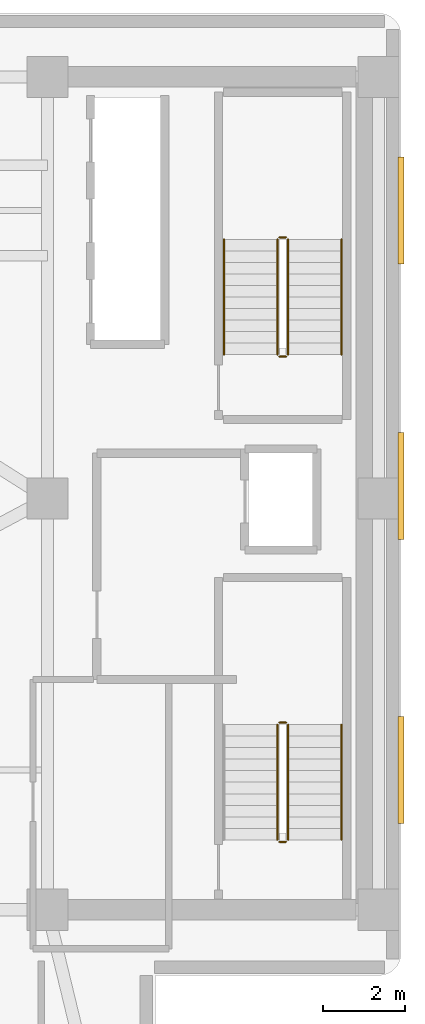
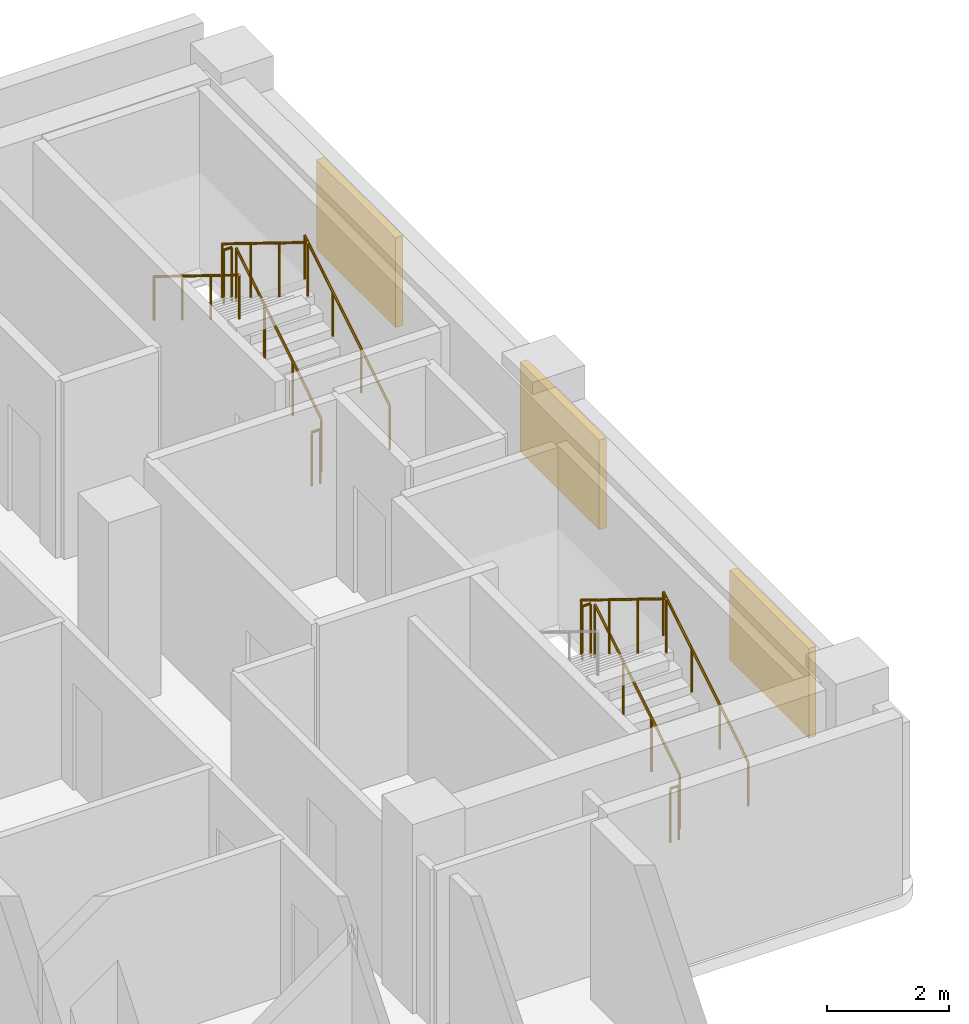
# One storey, part 16 of 16: 11 railings, 3 shading devices.
"""IFC4 building model written with IfcOpenShell, lengths in metres."""

from ifc_helpers import new_model, si_unit, direction, frame, origin, origin_2d, place, context, subcontext, project, spatial, rectangle, circle, extrude, material, layer, layer_set, type_object, element, save


model = new_model("IFC4")

# Units and contexts
model_context = context("Model", 3, precision=1e-05, world=origin(), true_north=direction((0.0, 1.0)))
body_context = subcontext(model_context, "Body", "Model", "MODEL_VIEW")
ifc_project = project(units=[si_unit("LENGTHUNIT", "METRE"), si_unit("AREAUNIT", "SQUARE_METRE"), si_unit("VOLUMEUNIT", "CUBIC_METRE"), si_unit("PLANEANGLEUNIT", "RADIAN"), si_unit("MASSUNIT", "GRAM", prefix="KILO")], contexts=[model_context])

# Site, building, storey
site_placement = place(None, origin())
site = spatial("IfcSite", under=ifc_project, at=site_placement, CompositionType="ELEMENT")
building_placement = place(site_placement, origin())
building = spatial("IfcBuilding", under=site, at=building_placement, Name="Kuzgunbayir Cultural Tower", CompositionType="ELEMENT")
storey_placement = place(building_placement, frame((0.0, 0.0, 75.60009765625)))
storey = spatial("IfcBuildingStorey", under=building, at=storey_placement, Name="L21", CompositionType="ELEMENT", Elevation=75.60009765625)

# Railings
ifc_material_1 = material(Name="Brushed Stainless Steel", Category="steel")
ifc_layer_1 = layer(ifc_material_1, 0.050048828125)
ifc_layer_set_1 = layer_set([ifc_layer_1], Name="Brushed Stainless Steel")
railing_type_1 = type_object("IfcRailingType", Name="RLG-STAIR-HANDRAIL", PredefinedType="HANDRAIL", material=ifc_layer_set_1)
for number, where, name in (
    (1, (71.75, 23.699951171875, 0.172607421875), "L21 ST-3 stair handrail 1"),
    (2, (71.75, 35.5, 0.172607421875), "L21 ST-4 stair handrail 1"),
):
    element("IfcRailing", number, at=place(storey_placement, frame(where)), inside=storey, type_object=railing_type_1, Name=name, PredefinedType="HANDRAIL", context=body_context, shape_type="SweptSolid", body=[
        extrude(circle(Radius=0.02392578125, at=origin_2d()), frame((0.0, 0.0, 0.8759765625), z_axis=(0.0, 0.851089632645, 0.525020415988), x_axis=(-1.0, 0.0, 0.0)), (0.0, 0.0, 1.0), 3.2900390625),
        extrude(circle(Radius=0.02099609375, at=origin_2d()), origin(), (0.0, 0.0, 1.0), 0.851806640625),
        extrude(circle(Radius=0.02099609375, at=origin_2d()), frame((0.0, 0.933349609375, 0.57568359375)), (0.0, 0.0, 1.0), 0.851806640625),
        extrude(circle(Radius=0.02099609375, at=origin_2d()), frame((0.0, 1.86669921875, 1.151611328125)), (0.0, 0.0, 1.0), 0.851806640625),
        extrude(circle(Radius=0.02099609375, at=origin_2d()), frame((0.0, 2.800048828125, 1.727294921875)), (0.0, 0.0, 1.0), 0.851806640625),
    ])
railing_1_placement = place(storey_placement, frame((68.889892578125, 38.300048828125, 2.072509765625)))
element("IfcRailing", 3, at=railing_1_placement, inside=storey, type_object=railing_type_1, Name="L21 ST-4 stair handrail 2", PredefinedType="HANDRAIL", context=body_context, shape_type="SweptSolid", body=[
    extrude(circle(Radius=0.02392578125, at=origin_2d()), frame((0.0, 0.0, 0.8759765625), z_axis=(0.0, -0.851089632645, 0.525020415988), x_axis=(1.0, 0.0, 0.0)), (0.0, 0.0, 1.0), 3.2900390625),
    extrude(circle(Radius=0.02099609375, at=origin_2d()), origin(), (0.0, 0.0, 1.0), 0.851806640625),
    extrude(circle(Radius=0.02099609375, at=origin_2d()), frame((0.0, -0.933349609375, 0.57568359375)), (0.0, 0.0, 1.0), 0.851806640625),
    extrude(circle(Radius=0.02099609375, at=origin_2d()), frame((0.0, -1.86669921875, 1.151611328125)), (0.0, 0.0, 1.0), 0.851806640625),
    extrude(circle(Radius=0.02099609375, at=origin_2d()), frame((0.0, -2.800048828125, 1.727294921875)), (0.0, 0.0, 1.0), 0.851806640625),
])
ifc_material_2 = material(Name="Painted Steel Balustrade", Category="steel")
ifc_layer_2 = layer(ifc_material_2, 0.06005859375)
ifc_layer_set_2 = layer_set([ifc_layer_2], Name="Painted Steel Balustrade")
railing_type_2 = type_object("IfcRailingType", Name="RLG-WELL-GUARD", PredefinedType="GUARDRAIL", material=ifc_layer_set_2)
railing_2_placement = place(storey_placement, frame((70.449951171875, 23.699951171875, 0.172607421875)))
element("IfcRailing", 4, at=railing_2_placement, inside=storey, type_object=railing_type_2, Name="L21 ST-3 stair guard 1", PredefinedType="GUARDRAIL", context=body_context, shape_type="SweptSolid", body=[
    extrude(circle(Radius=0.02392578125, at=origin_2d()), frame((0.0, 0.0, 1.076171875), z_axis=(0.0, 0.851089632645, 0.525020415988), x_axis=(-1.0, 0.0, 0.0)), (0.0, 0.0, 1.0), 3.2900390625),
    extrude(circle(Radius=0.02099609375, at=origin_2d()), origin(), (0.0, 0.0, 1.0), 1.052001953125),
    extrude(circle(Radius=0.02099609375, at=origin_2d()), frame((0.0, 0.933349609375, 0.57568359375)), (0.0, 0.0, 1.0), 1.052001953125),
    extrude(circle(Radius=0.02099609375, at=origin_2d()), frame((0.0, 1.86669921875, 1.151611328125)), (0.0, 0.0, 1.0), 1.052001953125),
    extrude(circle(Radius=0.02099609375, at=origin_2d()), frame((0.0, 2.800048828125, 1.727294921875)), (0.0, 0.0, 1.0), 1.052001953125),
])
railing_3_placement = place(storey_placement, frame((70.39990234375, 26.550048828125, 1.89990234375)))
element("IfcRailing", 5, at=railing_3_placement, inside=storey, type_object=railing_type_2, Name="L21 ST-3 stair guard 2", PredefinedType="GUARDRAIL", context=body_context, shape_type="SweptSolid", body=[
    extrude(circle(Radius=0.02392578125, at=origin_2d()), frame((0.0, 0.0, 1.076171875), z_axis=(-1.0, 0.0, 0.0), x_axis=(0.0, -1.0, 0.0)), (0.0, 0.0, 1.0), 0.159912109375),
    extrude(circle(Radius=0.02099609375, at=origin_2d()), origin(), (0.0, 0.0, 1.0), 1.052001953125),
    extrude(circle(Radius=0.02099609375, at=origin_2d()), frame((-0.159912109375, 0.0, 0.0)), (0.0, 0.0, 1.0), 1.052001953125),
])
railing_4_placement = place(storey_placement, frame((70.18994140625, 26.5, 2.072509765625)))
element("IfcRailing", 6, at=railing_4_placement, inside=storey, type_object=railing_type_2, Name="L21 ST-3 stair guard 3", PredefinedType="GUARDRAIL", context=body_context, shape_type="SweptSolid", body=[
    extrude(circle(Radius=0.02392578125, at=origin_2d()), frame((0.0, 0.0, 1.076171875), z_axis=(0.0, -0.851089632645, 0.525020415988), x_axis=(1.0, 0.0, 0.0)), (0.0, 0.0, 1.0), 3.2900390625),
    extrude(circle(Radius=0.02099609375, at=origin_2d()), origin(), (0.0, 0.0, 1.0), 1.052001953125),
    extrude(circle(Radius=0.02099609375, at=origin_2d()), frame((0.0, -0.933349609375, 0.57568359375)), (0.0, 0.0, 1.0), 1.052001953125),
    extrude(circle(Radius=0.02099609375, at=origin_2d()), frame((0.0, -1.86669921875, 1.151611328125)), (0.0, 0.0, 1.0), 1.052001953125),
    extrude(circle(Radius=0.02099609375, at=origin_2d()), frame((0.0, -2.800048828125, 1.727294921875)), (0.0, 0.0, 1.0), 1.052001953125),
])
railing_5_placement = place(storey_placement, frame((70.39990234375, 23.64990234375, 0.0)))
element("IfcRailing", 7, at=railing_5_placement, inside=storey, type_object=railing_type_2, Name="L21 ST-3 stair guard 4", PredefinedType="GUARDRAIL", context=body_context, shape_type="SweptSolid", body=[
    extrude(circle(Radius=0.02392578125, at=origin_2d()), frame((0.0, 0.0, 1.076171875), z_axis=(-1.0, 0.0, 0.0), x_axis=(0.0, -1.0, 0.0)), (0.0, 0.0, 1.0), 0.159912109375),
    extrude(circle(Radius=0.02099609375, at=origin_2d()), origin(), (0.0, 0.0, 1.0), 1.052001953125),
    extrude(circle(Radius=0.02099609375, at=origin_2d()), frame((-0.159912109375, 0.0, 0.0)), (0.0, 0.0, 1.0), 1.052001953125),
])
railing_6_placement = place(storey_placement, frame((70.449951171875, 35.5, 0.172607421875)))
element("IfcRailing", 8, at=railing_6_placement, inside=storey, type_object=railing_type_2, Name="L21 ST-4 stair guard 1", PredefinedType="GUARDRAIL", context=body_context, shape_type="SweptSolid", body=[
    extrude(circle(Radius=0.02392578125, at=origin_2d()), frame((0.0, 0.0, 1.076171875), z_axis=(0.0, 0.851089632645, 0.525020415988), x_axis=(-1.0, 0.0, 0.0)), (0.0, 0.0, 1.0), 3.2900390625),
    extrude(circle(Radius=0.02099609375, at=origin_2d()), origin(), (0.0, 0.0, 1.0), 1.052001953125),
    extrude(circle(Radius=0.02099609375, at=origin_2d()), frame((0.0, 0.933349609375, 0.57568359375)), (0.0, 0.0, 1.0), 1.052001953125),
    extrude(circle(Radius=0.02099609375, at=origin_2d()), frame((0.0, 1.86669921875, 1.151611328125)), (0.0, 0.0, 1.0), 1.052001953125),
    extrude(circle(Radius=0.02099609375, at=origin_2d()), frame((0.0, 2.800048828125, 1.727294921875)), (0.0, 0.0, 1.0), 1.052001953125),
])
railing_7_placement = place(storey_placement, frame((70.39990234375, 38.35009765625, 1.89990234375)))
element("IfcRailing", 9, at=railing_7_placement, inside=storey, type_object=railing_type_2, Name="L21 ST-4 stair guard 2", PredefinedType="GUARDRAIL", context=body_context, shape_type="SweptSolid", body=[
    extrude(circle(Radius=0.02392578125, at=origin_2d()), frame((0.0, 0.0, 1.076171875), z_axis=(-1.0, 0.0, 0.0), x_axis=(0.0, -1.0, 0.0)), (0.0, 0.0, 1.0), 0.159912109375),
    extrude(circle(Radius=0.02099609375, at=origin_2d()), origin(), (0.0, 0.0, 1.0), 1.052001953125),
    extrude(circle(Radius=0.02099609375, at=origin_2d()), frame((-0.159912109375, 0.0, 0.0)), (0.0, 0.0, 1.0), 1.052001953125),
])
railing_8_placement = place(storey_placement, frame((70.18994140625, 38.300048828125, 2.072509765625)))
element("IfcRailing", 10, at=railing_8_placement, inside=storey, type_object=railing_type_2, Name="L21 ST-4 stair guard 3", PredefinedType="GUARDRAIL", context=body_context, shape_type="SweptSolid", body=[
    extrude(circle(Radius=0.02392578125, at=origin_2d()), frame((0.0, 0.0, 1.076171875), z_axis=(0.0, -0.851089632645, 0.525020415988), x_axis=(1.0, 0.0, 0.0)), (0.0, 0.0, 1.0), 3.2900390625),
    extrude(circle(Radius=0.02099609375, at=origin_2d()), origin(), (0.0, 0.0, 1.0), 1.052001953125),
    extrude(circle(Radius=0.02099609375, at=origin_2d()), frame((0.0, -0.933349609375, 0.57568359375)), (0.0, 0.0, 1.0), 1.052001953125),
    extrude(circle(Radius=0.02099609375, at=origin_2d()), frame((0.0, -1.86669921875, 1.151611328125)), (0.0, 0.0, 1.0), 1.052001953125),
    extrude(circle(Radius=0.02099609375, at=origin_2d()), frame((0.0, -2.800048828125, 1.727294921875)), (0.0, 0.0, 1.0), 1.052001953125),
])
railing_9_placement = place(storey_placement, frame((70.39990234375, 35.449951171875, 0.0)))
element("IfcRailing", 11, at=railing_9_placement, inside=storey, type_object=railing_type_2, Name="L21 ST-4 stair guard 4", PredefinedType="GUARDRAIL", context=body_context, shape_type="SweptSolid", body=[
    extrude(circle(Radius=0.02392578125, at=origin_2d()), frame((0.0, 0.0, 1.076171875), z_axis=(-1.0, 0.0, 0.0), x_axis=(0.0, -1.0, 0.0)), (0.0, 0.0, 1.0), 0.159912109375),
    extrude(circle(Radius=0.02099609375, at=origin_2d()), origin(), (0.0, 0.0, 1.0), 1.052001953125),
    extrude(circle(Radius=0.02099609375, at=origin_2d()), frame((-0.159912109375, 0.0, 0.0)), (0.0, 0.0, 1.0), 1.052001953125),
])

# Shading devices
ifc_material_3 = material(Name="Perforated Bronze-Anodised Aluminium", Category="aluminium")
shading_device_type = type_object("IfcShadingDeviceType", Name="SHD-SOLAR-BRONZE", PredefinedType="JALOUSIE", material=ifc_material_3)
for number, where, z_axis, x_axis, name in (
    (12, (73.199951171875, 25.39990234375, 0.7998046875), (0.0, 0.0, 1.0), (1.0, 0.0, 0.0), "L21 Companion East Bronze Solar Screen 25"),
    (13, (73.199951171875, 32.300048828125, 0.7998046875), (0.0, 0.0, 1.0), (1.0, 0.0, 0.0), "L21 Companion East Bronze Solar Screen 32"),
    (14, (73.199951171875, 39.0, 0.7998046875), (0.0, 0.0, 1.0), (1.0, 0.0, 0.0), "L21 Companion East Bronze Solar Screen 39"),
):
    element("IfcShadingDevice", number, at=place(storey_placement, frame(where, z_axis=z_axis, x_axis=x_axis)), inside=storey, type_object=shading_device_type, Name=name, PredefinedType="JALOUSIE", context=body_context, shape_type="SweptSolid", body=[
        extrude(rectangle(XDim=0.139892578125, YDim=2.60009765625, at=origin_2d()), origin(), (0.0, 0.0, 1.0), 1.800048828125),
    ])

save(model, "model.ifc")
